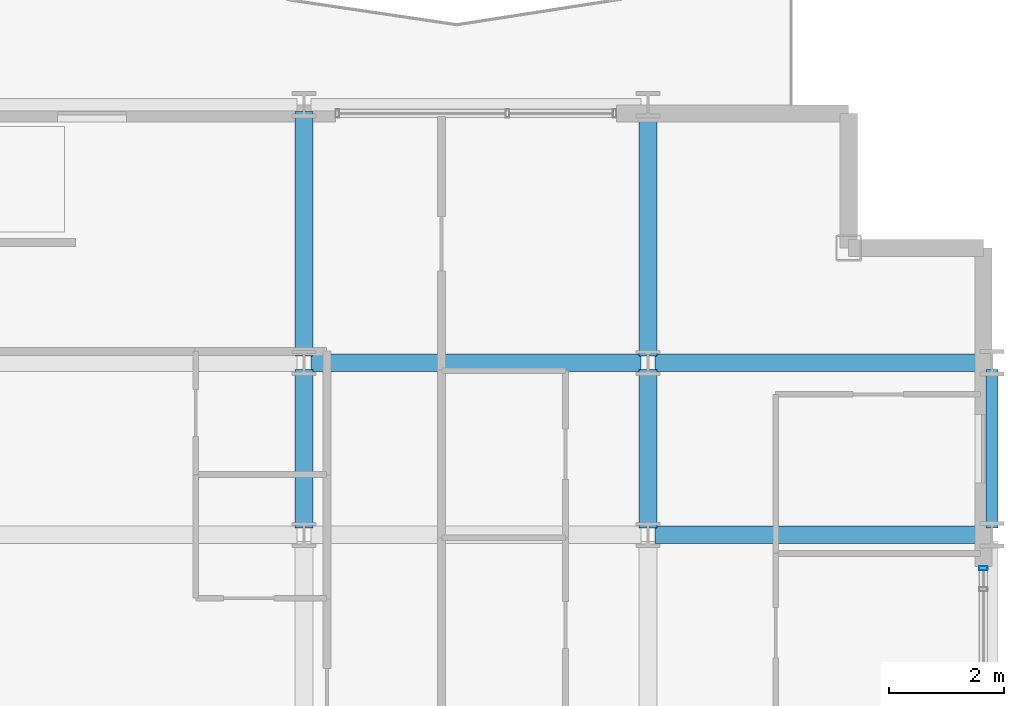
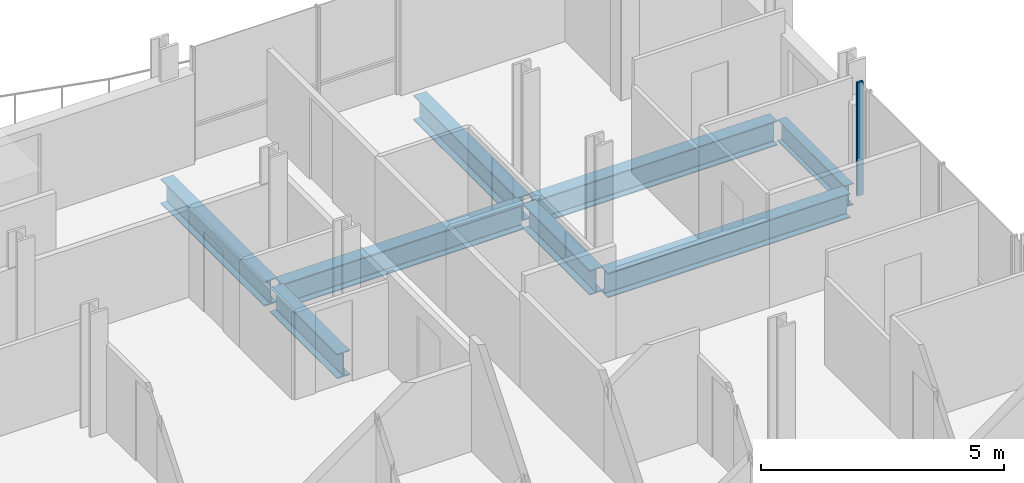
# One storey, part 20 of 41: 8 beams, 1 member, 1 element without a shape of its own.
"""IFC4 building model written with IfcOpenShell, lengths in metres."""

from ifc_helpers import new_model, si_unit, direction, frame, origin, origin_2d, place, context, subcontext, project, spatial, hollow_rectangle, i_section, extrude, material, layer, layer_set, material_profile, profile_set, type_object, element, aggregate, save


model = new_model("IFC4")

# Units and contexts
model_context = context("Model", 3, precision=1e-05, world=origin(), true_north=direction((0.0, 1.0)))
body_context = subcontext(model_context, "Body", "Model", "MODEL_VIEW")
ifc_project = project(units=[si_unit("LENGTHUNIT", "METRE"), si_unit("AREAUNIT", "SQUARE_METRE"), si_unit("VOLUMEUNIT", "CUBIC_METRE"), si_unit("PLANEANGLEUNIT", "RADIAN"), si_unit("MASSUNIT", "GRAM", prefix="KILO")], contexts=[model_context])

# Site, building, storey
site_placement = place(None, origin())
site = spatial("IfcSite", under=ifc_project, at=site_placement, CompositionType="ELEMENT")
building_placement = place(site_placement, origin())
building = spatial("IfcBuilding", under=site, at=building_placement, Name="Brevholm Reach", CompositionType="ELEMENT")
storey_placement = place(building_placement, frame((0.0, 0.0, 93.10009765625)))
storey = spatial("IfcBuildingStorey", under=building, at=storey_placement, Name="L27", CompositionType="ELEMENT", Elevation=93.10009765625)

# Beams
ifc_material_1 = material(Name="Structural Steel S355J2", Category="steel")
ifc_material_profile_1 = material_profile(ifc_material_1, i_section(OverallWidth=0.210693359375, OverallDepth=0.53955078125, WebThickness=0.01171875, FlangeThickness=0.018798828125, FilletRadius=0.0126953125, at=origin_2d()), Name="UKB 533x210x109")
ifc_profile_set_1 = profile_set([ifc_material_profile_1], Name="Structural Steel S355J2")
beam_type_1 = type_object("IfcBeamType", Name="BM-SP539", PredefinedType="SPANDREL", material=ifc_profile_set_1)
beam_1_placement = place(storey_placement, frame((60.0, 23.6201171875, -0.499755859375), z_axis=(0.0, 1.0, 0.0), x_axis=(-1.0, 0.0, 0.0)))
element("IfcBeam", 1, at=beam_1_placement, inside=storey, type_object=beam_type_1, Name="L27 SP-01B Framing Beam", PredefinedType="SPANDREL", context=body_context, shape_type="SweptSolid", body=[
    extrude(i_section(OverallWidth=0.210693359375, OverallDepth=0.53955078125, WebThickness=0.01171875, FlangeThickness=0.018798828125, FilletRadius=0.0126953125, at=origin_2d()), origin(), (0.0, 0.0, 1.0), 2.759765625),
])
ifc_material_2 = material(Name="Structural Steel S355J2", Category="steel")
ifc_material_profile_2 = material_profile(ifc_material_2, i_section(OverallWidth=0.30712890625, OverallDepth=0.6201171875, WebThickness=0.01416015625, FlangeThickness=0.023681640625, FilletRadius=0.0166015625, at=origin_2d()), Name="UKB 610x305x179")
ifc_profile_set_2 = profile_set([ifc_material_profile_2], Name="Structural Steel S355J2")
beam_type_2 = type_object("IfcBeamType", Name="BM-UKB610H", PredefinedType="USERDEFINED", material=ifc_profile_set_2)
for number, where, z_axis, x_axis, name in (
    (2, (54.1201171875, 23.5, -0.540283203125), (1.0, 0.0, 0.0), (0.0, 1.0, 0.0), "L27 G-06 Framing Beam"),
    (3, (48.1201171875, 26.5, -0.540283203125), (1.0, 0.0, 0.0), (0.0, 1.0, 0.0), "L27 G-06 Framing Beam"),
    (4, (54.1201171875, 26.5, -0.540283203125), (1.0, 0.0, 0.0), (0.0, 1.0, 0.0), "L27 G-06 Framing Beam"),
):
    element("IfcBeam", number, at=place(storey_placement, frame(where, z_axis=z_axis, x_axis=x_axis)), inside=storey, type_object=beam_type_2, Name=name, ObjectType="GIRDER", PredefinedType="USERDEFINED", context=body_context, shape_type="SweptSolid", body=[
        extrude(i_section(OverallWidth=0.30712890625, OverallDepth=0.6201171875, WebThickness=0.01416015625, FlangeThickness=0.023681640625, FilletRadius=0.0166015625, at=origin_2d()), origin(), (0.0, 0.0, 1.0), 5.759765625),
    ])
beam_2_placement = place(storey_placement, frame((48.0, 23.6201171875, -0.540283203125), z_axis=(0.0, 1.0, 0.0), x_axis=(-1.0, 0.0, 0.0)))
element("IfcBeam", 5, at=beam_2_placement, inside=storey, type_object=beam_type_2, Name="L27 G-06 Framing Beam", ObjectType="GIRDER", PredefinedType="USERDEFINED", context=body_context, shape_type="SweptSolid", body=[
    extrude(i_section(OverallWidth=0.30712890625, OverallDepth=0.6201171875, WebThickness=0.01416015625, FlangeThickness=0.023681640625, FilletRadius=0.0166015625, at=origin_2d()), origin(), (0.0, 0.0, 1.0), 2.759765625),
])
beam_3_placement = place(storey_placement, frame((48.0, 26.6201171875, -0.540283203125), z_axis=(0.0, 1.0, 0.0), x_axis=(-1.0, 0.0, 0.0)))
element("IfcBeam", 6, at=beam_3_placement, inside=storey, type_object=beam_type_2, Name="L27 G-06 Framing Beam", ObjectType="GIRDER", PredefinedType="USERDEFINED", context=body_context, shape_type="SweptSolid", body=[
    extrude(i_section(OverallWidth=0.30712890625, OverallDepth=0.6201171875, WebThickness=0.01416015625, FlangeThickness=0.023681640625, FilletRadius=0.0166015625, at=origin_2d()), origin(), (0.0, 0.0, 1.0), 4.259765625),
])
beam_4_placement = place(storey_placement, frame((54.0, 23.6201171875, -0.540283203125), z_axis=(0.0, 1.0, 0.0), x_axis=(-1.0, 0.0, 0.0)))
element("IfcBeam", 7, at=beam_4_placement, inside=storey, type_object=beam_type_2, Name="L27 G-06 Framing Beam", ObjectType="GIRDER", PredefinedType="USERDEFINED", context=body_context, shape_type="SweptSolid", body=[
    extrude(i_section(OverallWidth=0.30712890625, OverallDepth=0.6201171875, WebThickness=0.01416015625, FlangeThickness=0.023681640625, FilletRadius=0.0166015625, at=origin_2d()), origin(), (0.0, 0.0, 1.0), 2.759765625),
])
beam_5_placement = place(storey_placement, frame((54.0, 26.6201171875, -0.540283203125), z_axis=(0.0, 1.0, 0.0), x_axis=(-1.0, 0.0, 0.0)))
element("IfcBeam", 8, at=beam_5_placement, inside=storey, type_object=beam_type_2, Name="L27 G-06 Framing Beam", ObjectType="GIRDER", PredefinedType="USERDEFINED", context=body_context, shape_type="SweptSolid", body=[
    extrude(i_section(OverallWidth=0.30712890625, OverallDepth=0.6201171875, WebThickness=0.01416015625, FlangeThickness=0.023681640625, FilletRadius=0.0166015625, at=origin_2d()), origin(), (0.0, 0.0, 1.0), 4.259765625),
])

# Curtain wall, member
ifc_material_3 = material(Name="Dark Anodised Aluminium 6063-T6 and Solar-Control Glass", Category="aluminium")
ifc_layer = layer(ifc_material_3, 0.14990234375)
ifc_layer_set = layer_set([ifc_layer], Name="Dark Anodised Aluminium 6063-T6 and Solar-Control Glass")
curtain_wall_type = type_object("IfcCurtainWallType", Name="CW-01", PredefinedType="NOTDEFINED", material=ifc_layer_set)
curtain_wall_placement = place(storey_placement, origin())
curtain_wall = element("IfcCurtainWall", 9, at=curtain_wall_placement, inside=storey, type_object=curtain_wall_type, Name="L27 Curtain Wall CW-01", PredefinedType="NOTDEFINED")
ifc_material_4 = material(Name="Dark Anodised Aluminium 6063-T6", Category="aluminium")
ifc_material_profile_3 = material_profile(ifc_material_4, hollow_rectangle(XDim=0.06494140625, YDim=0.14990234375, WallThickness=0.0048828125, InnerFilletRadius=0.0048828125, OuterFilletRadius=0.010009765625, at=origin_2d()), Name="RHS 150x65x5")
ifc_profile_set_3 = profile_set([ifc_material_profile_3], Name="Dark Anodised Aluminium 6063-T6")
member_type = type_object("IfcMemberType", Name="CWM-150", PredefinedType="MULLION", material=ifc_profile_set_3)
member_placement = place(storey_placement, frame((59.85009765625, 22.91748046875, 0.0), z_axis=(0.0, 0.0, 1.0), x_axis=(0.0, 1.0, 0.0)))
member = element("IfcMember", 10, at=member_placement, type_object=member_type, Name="CM-150 Mullion 6", PredefinedType="MULLION", context=body_context, shape_type="SweptSolid", body=[
    extrude(hollow_rectangle(XDim=0.06494140625, YDim=0.14990234375, WallThickness=0.0048828125, InnerFilletRadius=0.0048828125, OuterFilletRadius=0.010009765625, at=origin_2d()), origin(), (0.0, 0.0, 1.0), 2.83984375),
])
aggregate(curtain_wall, [member])

save(model, "model.ifc")
